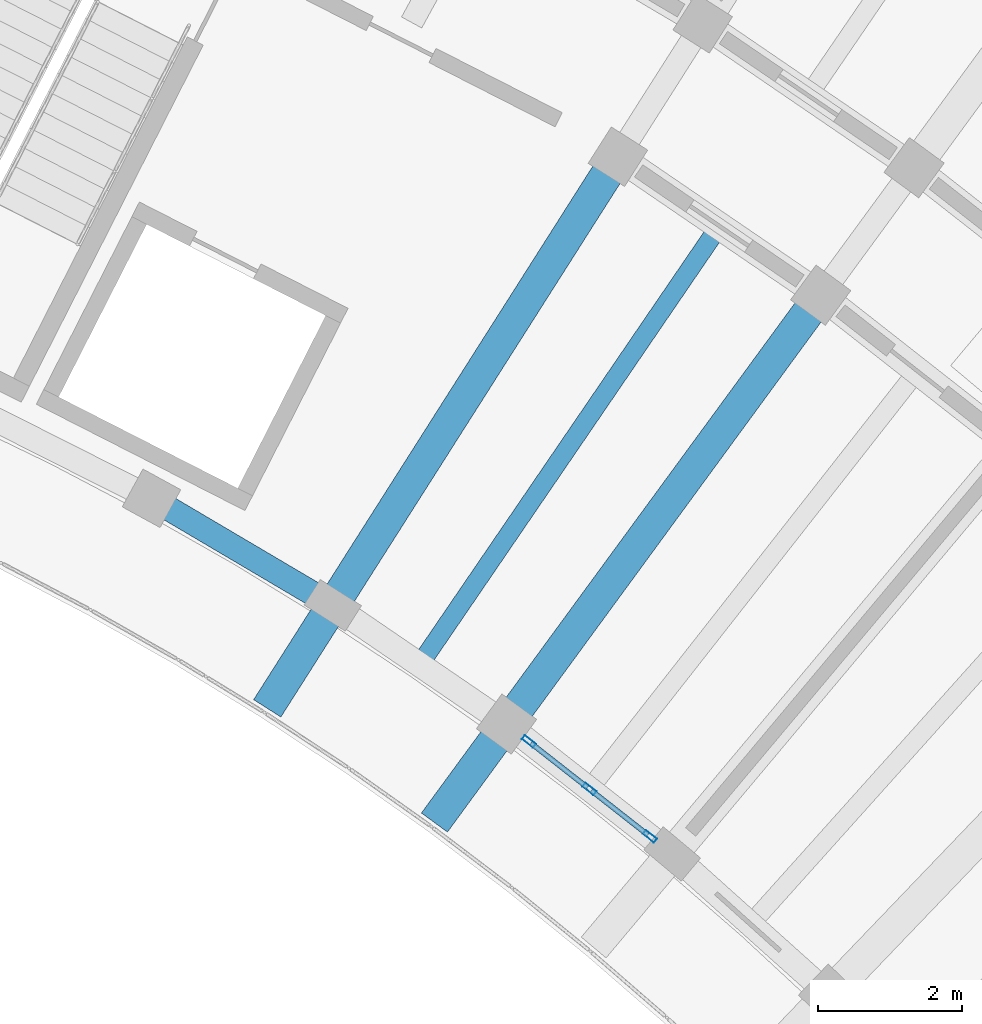
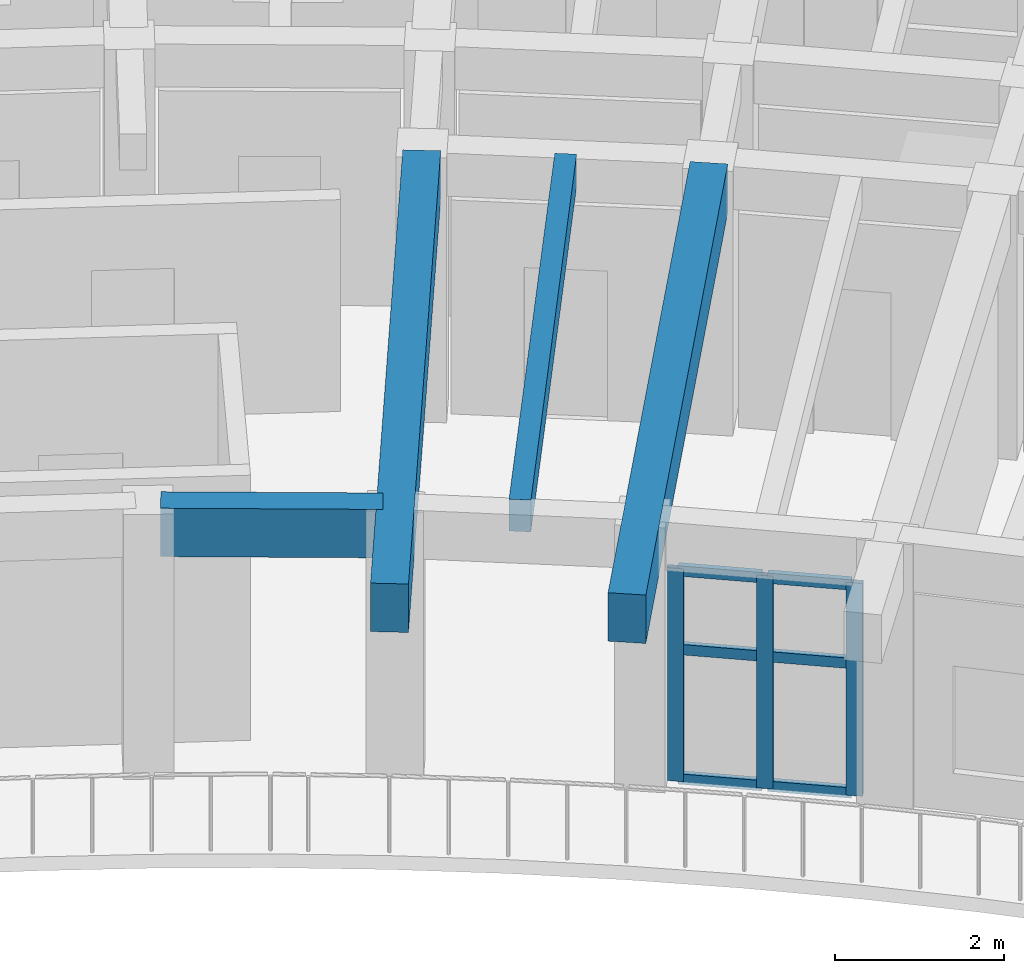
# One storey, part 61 of 128: 9 members, 4 beams, 1 element without a shape of its own.
"""IFC4 building model written with IfcOpenShell, lengths in metres."""

from ifc_helpers import new_model, si_unit, direction, frame, origin, origin_2d, place, context, subcontext, project, spatial, rectangle, hollow_rectangle, extrude, material, material_profile, profile_set, type_object, element, aggregate, save


model = new_model("IFC4")

# Units and contexts
model_context = context("Model", 3, precision=1e-05, world=origin(), true_north=direction((0.0, 1.0)))
body_context = subcontext(model_context, "Body", "Model", "MODEL_VIEW")
ifc_project = project(units=[si_unit("LENGTHUNIT", "METRE"), si_unit("AREAUNIT", "SQUARE_METRE"), si_unit("VOLUMEUNIT", "CUBIC_METRE"), si_unit("PLANEANGLEUNIT", "RADIAN"), si_unit("MASSUNIT", "GRAM", prefix="KILO")], contexts=[model_context])

# Site, building, storey
site_placement = place(None, origin())
site = spatial("IfcSite", under=ifc_project, at=site_placement, CompositionType="ELEMENT")
building_placement = place(site_placement, origin())
building = spatial("IfcBuilding", under=site, at=building_placement, Name="Tanwirah Colonnade Gardens", CompositionType="ELEMENT")
storey_placement = place(building_placement, frame((0.0, 0.0, 4.760009765625)))
storey = spatial("IfcBuildingStorey", under=building, at=storey_placement, Name="L01", CompositionType="ELEMENT", Elevation=4.760009765625)

# Beams
ifc_material_1 = material(Name="Precast concrete C45/55", Category="concrete")
ifc_material_profile_1 = material_profile(ifc_material_1, rectangle(XDim=0.449951171875, YDim=0.699951171875, at=origin_2d()), Name="PC-BM 450x700")
ifc_profile_set_1 = profile_set([ifc_material_profile_1], Name="Precast concrete C45/55")
beam_type_1 = type_object("IfcBeamType", Name="BM-PC450", PredefinedType="BEAM", material=ifc_profile_set_1)
for number, where, z_axis, x_axis, name in (
    (1, (151.550537109375, 101.907958984375, 3.47509765625), (-0.590927205009, -0.806724883947, 0.0), (0.806724883947, -0.590927205009, 0.0), "Block B L01 Inner Radial Precast Girder 10"),
    (2, (148.736083984375, 103.830322265625, 3.47509765625), (-0.536483588607, -0.843910753075, 0.0), (0.843910753075, -0.536483588607, 0.0), "Block B L01 Inner Radial Precast Girder 11"),
):
    element("IfcBeam", number, at=place(storey_placement, frame(where, z_axis=z_axis, x_axis=x_axis)), inside=storey, type_object=beam_type_1, Name=name, PredefinedType="BEAM", context=body_context, shape_type="SweptSolid", body=[
        extrude(rectangle(XDim=0.449951171875, YDim=0.699951171875, at=origin_2d()), origin(), (0.0, 0.0, 1.0), 8.949951171875),
    ])

# Curtain wall, members
ifc_material_2 = material(Name="Bronze-anodised aluminium and solar-control low-E glass", Category="aluminium")
curtain_wall_type = type_object("IfcCurtainWallType", Name="CW-GDN", PredefinedType="NOTDEFINED", material=ifc_material_2)
curtain_wall_placement = place(storey_placement, origin())
curtain_wall = element("IfcCurtainWall", 3, at=curtain_wall_placement, inside=storey, type_object=curtain_wall_type, Name="Curtain Wall CW-B-L01-IN-09", PredefinedType="NOTDEFINED")
ifc_material_3 = material(Name="Bronze-anodised aluminium", Category="aluminium")
ifc_material_profile_2 = material_profile(ifc_material_3, hollow_rectangle(XDim=0.070068359375, YDim=0.199951171875, WallThickness=0.00390625, at=origin_2d()), Name="CW-MUL 70x200x4")
ifc_profile_set_2 = profile_set([ifc_material_profile_2], Name="Bronze-anodised aluminium")
member_type_1 = type_object("IfcMemberType", Name="CWM-70x200", PredefinedType="MULLION", material=ifc_profile_set_2)
member_1_placement = place(storey_placement, frame((149.26123046875, 94.494384765625, 0.0), z_axis=(0.0, 0.0, 1.0), x_axis=(-0.617188542982, -0.786815291166, 0.0)))
member_1 = element("IfcMember", 4, at=member_1_placement, type_object=member_type_1, Name="CW-GDN mullion 1", PredefinedType="MULLION", context=body_context, shape_type="SweptSolid", body=[
    extrude(hollow_rectangle(XDim=0.070068359375, YDim=0.199951171875, WallThickness=0.00390625, at=origin_2d()), origin(), (0.0, 0.0, 1.0), 3.074951171875),
])
member_2_placement = place(storey_placement, frame((148.419189453125, 95.155029296875, 0.0), z_axis=(0.0, 0.0, 1.0), x_axis=(-0.617188542982, -0.786815291166, 0.0)))
member_2 = element("IfcMember", 5, at=member_2_placement, type_object=member_type_1, Name="CW-GDN mullion 2", PredefinedType="MULLION", context=body_context, shape_type="SweptSolid", body=[
    extrude(hollow_rectangle(XDim=0.070068359375, YDim=0.199951171875, WallThickness=0.00390625, at=origin_2d()), origin(), (0.0, 0.0, 1.0), 3.074951171875),
])
member_3_placement = place(storey_placement, frame((147.5771484375, 95.8154296875, 0.0), z_axis=(0.0, 0.0, 1.0), x_axis=(-0.617188542982, -0.786815291166, 0.0)))
member_3 = element("IfcMember", 6, at=member_3_placement, type_object=member_type_1, Name="CW-GDN mullion 3", PredefinedType="MULLION", context=body_context, shape_type="SweptSolid", body=[
    extrude(hollow_rectangle(XDim=0.070068359375, YDim=0.199951171875, WallThickness=0.00390625, at=origin_2d()), origin(), (0.0, 0.0, 1.0), 3.074951171875),
])
ifc_material_profile_3 = material_profile(ifc_material_3, hollow_rectangle(XDim=0.070068359375, YDim=0.14990234375, WallThickness=0.00390625, at=origin_2d()), Name="CW-TRN 70x150x4")
ifc_profile_set_3 = profile_set([ifc_material_profile_3], Name="Bronze-anodised aluminium")
member_type_2 = type_object("IfcMemberType", Name="CWT-70x150", PredefinedType="USERDEFINED", material=ifc_profile_set_3)
member_4_placement = place(storey_placement, frame((149.233642578125, 94.51611328125, 0.034912109375), z_axis=(-0.786927781531, 0.617045109092, 0.0), x_axis=(-0.617045109092, -0.786927781531, 0.0)))
member_4 = element("IfcMember", 7, at=member_4_placement, type_object=member_type_2, Name="CW-GDN transom 1.1", ObjectType="TRANSOM", PredefinedType="USERDEFINED", context=body_context, shape_type="SweptSolid", body=[
    extrude(hollow_rectangle(XDim=0.070068359375, YDim=0.14990234375, WallThickness=0.00390625, at=origin_2d()), origin(), (0.0, 0.0, 1.0), 1.000244140625),
])
member_5_placement = place(storey_placement, frame((149.233642578125, 94.51611328125, 1.906494140625), z_axis=(-0.786927781531, 0.617045109092, 0.0), x_axis=(-0.617045109092, -0.786927781531, 0.0)))
member_5 = element("IfcMember", 8, at=member_5_placement, type_object=member_type_2, Name="CW-GDN transom 1.2", ObjectType="TRANSOM", PredefinedType="USERDEFINED", context=body_context, shape_type="SweptSolid", body=[
    extrude(hollow_rectangle(XDim=0.070068359375, YDim=0.14990234375, WallThickness=0.00390625, at=origin_2d()), origin(), (0.0, 0.0, 1.0), 1.000244140625),
])
member_6_placement = place(storey_placement, frame((149.233642578125, 94.51611328125, 3.0400390625), z_axis=(-0.786927781531, 0.617045109092, 0.0), x_axis=(-0.617045109092, -0.786927781531, 0.0)))
member_6 = element("IfcMember", 9, at=member_6_placement, type_object=member_type_2, Name="CW-GDN transom 1.3", ObjectType="TRANSOM", PredefinedType="USERDEFINED", context=body_context, shape_type="SweptSolid", body=[
    extrude(hollow_rectangle(XDim=0.070068359375, YDim=0.14990234375, WallThickness=0.00390625, at=origin_2d()), origin(), (0.0, 0.0, 1.0), 1.000244140625),
])
member_7_placement = place(storey_placement, frame((148.3916015625, 95.176513671875, 0.034912109375), z_axis=(-0.786834820955, 0.617163644857, 0.0), x_axis=(-0.617163644857, -0.786834820955, 0.0)))
member_7 = element("IfcMember", 10, at=member_7_placement, type_object=member_type_2, Name="CW-GDN transom 2.1", ObjectType="TRANSOM", PredefinedType="USERDEFINED", context=body_context, shape_type="SweptSolid", body=[
    extrude(hollow_rectangle(XDim=0.070068359375, YDim=0.14990234375, WallThickness=0.00390625, at=origin_2d()), origin(), (0.0, 0.0, 1.0), 1.0),
])
member_8_placement = place(storey_placement, frame((148.3916015625, 95.176513671875, 1.906494140625), z_axis=(-0.786834820955, 0.617163644857, 0.0), x_axis=(-0.617163644857, -0.786834820955, 0.0)))
member_8 = element("IfcMember", 11, at=member_8_placement, type_object=member_type_2, Name="CW-GDN transom 2.2", ObjectType="TRANSOM", PredefinedType="USERDEFINED", context=body_context, shape_type="SweptSolid", body=[
    extrude(hollow_rectangle(XDim=0.070068359375, YDim=0.14990234375, WallThickness=0.00390625, at=origin_2d()), origin(), (0.0, 0.0, 1.0), 1.0),
])
member_9_placement = place(storey_placement, frame((148.3916015625, 95.176513671875, 3.0400390625), z_axis=(-0.786834820955, 0.617163644857, 0.0), x_axis=(-0.617163644857, -0.786834820955, 0.0)))
member_9 = element("IfcMember", 12, at=member_9_placement, type_object=member_type_2, Name="CW-GDN transom 2.3", ObjectType="TRANSOM", PredefinedType="USERDEFINED", context=body_context, shape_type="SweptSolid", body=[
    extrude(hollow_rectangle(XDim=0.070068359375, YDim=0.14990234375, WallThickness=0.00390625, at=origin_2d()), origin(), (0.0, 0.0, 1.0), 1.0),
])
aggregate(curtain_wall, [member_1, member_2, member_3, member_4, member_5, member_6, member_7, member_8, member_9])

# Beams
ifc_material_4 = material(Name="Precast concrete C40/50", Category="concrete")
ifc_material_profile_4 = material_profile(ifc_material_4, rectangle(XDim=0.260009765625, YDim=0.4599609375, at=origin_2d()), Name="PC-JST 260x460")
ifc_profile_set_4 = profile_set([ifc_material_profile_4], Name="Precast concrete C40/50")
beam_type_2 = type_object("IfcBeamType", Name="JST-PC260", PredefinedType="JOIST", material=ifc_profile_set_4)
beam_1_placement = place(storey_placement, frame((146.1376953125, 97.004638671875, 3.594970703125), z_axis=(0.564021195806, 0.825760310672, 0.0), x_axis=(-0.825760310672, 0.564021195806, 0.0)))
element("IfcBeam", 13, at=beam_1_placement, inside=storey, type_object=beam_type_2, Name="Block B L01 Inner Precast Floor Joist 10", PredefinedType="JOIST", context=body_context, shape_type="SweptSolid", body=[
    extrude(rectangle(XDim=0.260009765625, YDim=0.4599609375, at=origin_2d()), origin(), (0.0, 0.0, 1.0), 7.159912109375),
])
ifc_material_profile_5 = material_profile(ifc_material_1, rectangle(XDim=0.340087890625, YDim=0.699951171875, at=origin_2d()), Name="PC-SP 340x700")
ifc_profile_set_5 = profile_set([ifc_material_profile_5], Name="Precast concrete C45/55")
beam_type_3 = type_object("IfcBeamType", Name="SP-PC340", PredefinedType="SPANDREL", material=ifc_profile_set_5)
beam_2_placement = place(storey_placement, frame((144.717529296875, 97.7880859375, 3.47509765625), z_axis=(-0.861148181788, 0.508354019363, 0.0), x_axis=(-0.508354019363, -0.861148181788, 0.0)))
element("IfcBeam", 14, at=beam_2_placement, inside=storey, type_object=beam_type_3, Name="Block B L01 Circumferential Beam 11-R0", PredefinedType="SPANDREL", context=body_context, shape_type="SweptSolid", body=[
    extrude(rectangle(XDim=0.340087890625, YDim=0.699951171875, at=origin_2d()), origin(), (0.0, 0.0, 1.0), 2.63037109375),
])

save(model, "model.ifc")
